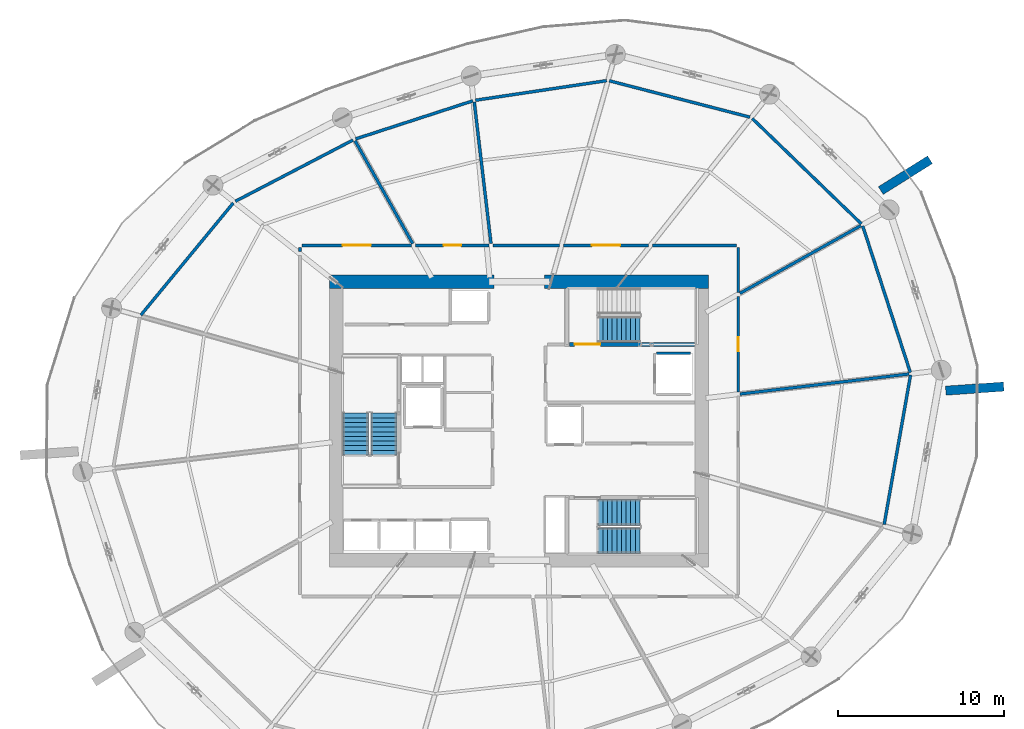
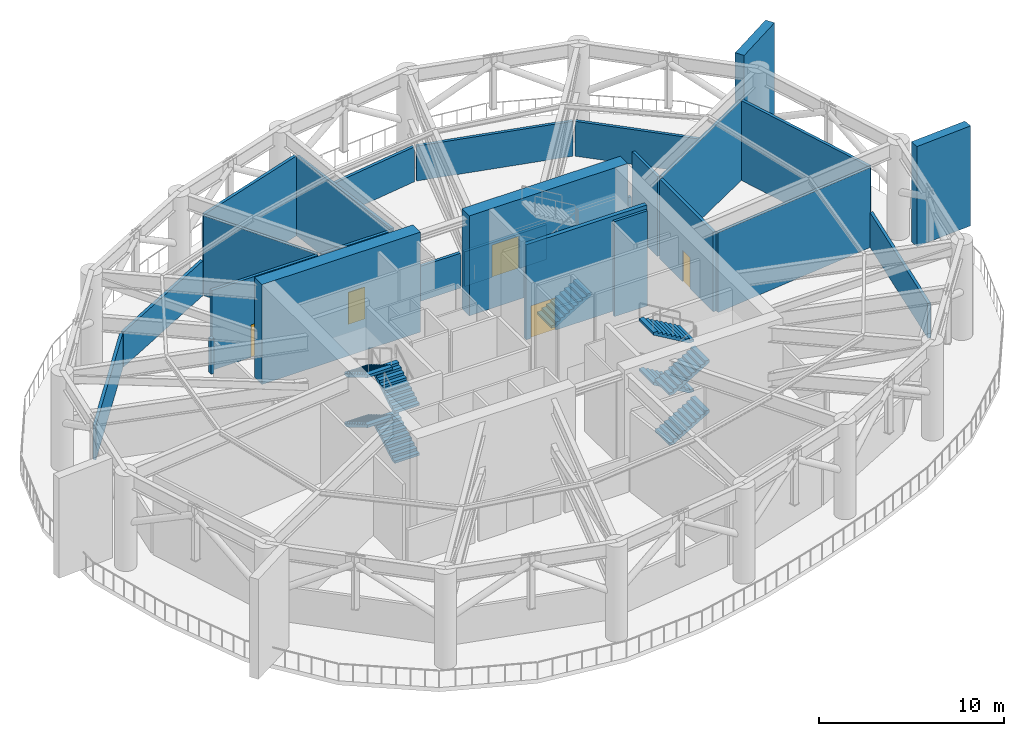
# One storey, part 13 of 19: 26 walls, 9 stair flights, 5 doors, 5 openings, 3 elements without a shape of their own.
"""IFC4 building model written with IfcOpenShell, lengths in metres."""

from ifc_helpers import new_model, si_unit, direction, frame, frame_2d, origin, place, context, subcontext, project, spatial, polyline, rectangle, outline, extrude, material, layer, layer_set, type_object, element, fill, aggregate, save


model = new_model("IFC4")

# Units and contexts
model_context = context("Model", 3, precision=1e-05, world=origin(), true_north=direction((0.0, 1.0)))
body_context = subcontext(model_context, "Body", "Model", "MODEL_VIEW")
ifc_project = project(units=[si_unit("LENGTHUNIT", "METRE"), si_unit("AREAUNIT", "SQUARE_METRE"), si_unit("VOLUMEUNIT", "CUBIC_METRE"), si_unit("PLANEANGLEUNIT", "RADIAN"), si_unit("MASSUNIT", "GRAM", prefix="KILO")], contexts=[model_context])

# Site, building, storey
site_placement = place(None, origin())
site = spatial("IfcSite", under=ifc_project, at=site_placement, CompositionType="ELEMENT")
building_placement = place(site_placement, origin())
building = spatial("IfcBuilding", under=site, at=building_placement, Name="Kazma Halo Residences", CompositionType="ELEMENT")
storey_placement = place(building_placement, frame((0.0, 0.0, 116.39990234375)))
storey = spatial("IfcBuildingStorey", under=building, at=storey_placement, Name="L29", CompositionType="ELEMENT", Elevation=116.39990234375)

# Walls
ifc_material_1 = material(Name="Pale Concrete C60/75", Category="concrete")
ifc_layer_1 = layer(ifc_material_1, 0.550048828125)
ifc_layer_set_1 = layer_set([ifc_layer_1], Name="Pale Concrete C60/75")
wall_type_1 = type_object("IfcWallType", Name="WL-BLADE-550", PredefinedType="SOLIDWALL", material=ifc_layer_set_1)
for number, where, z_axis, x_axis, name in (
    (1, (70.249267578125, 55.90283203125, 0.0), (0.0, 0.0, 1.0), (0.848033572426, 0.529942506352, 0.0), "L29 pale concrete structural blade fin wall BW-01"),
    (2, (74.171875, 43.830078125, 0.0), (0.0, 0.0, 1.0), (0.997564163539, 0.069754853754, 0.0), "L29 pale concrete structural blade fin wall BW-04"),
):
    element("IfcWall", number, at=place(storey_placement, frame(where, z_axis=z_axis, x_axis=x_axis)), inside=storey, type_object=wall_type_1, Name=name, PredefinedType="SOLIDWALL", context=body_context, shape_type="SweptSolid", body=[
        extrude(rectangle(XDim=3.5, YDim=0.550048828125, at=frame_2d((1.75, 0.0))), origin(), (0.0, 0.0, 1.0), 6.60009765625),
    ])
ifc_material_2 = material(Name="Concrete C80/95", Category="concrete")
ifc_layer_2 = layer(ifc_material_2, 0.800048828125)
ifc_layer_set_2 = layer_set([ifc_layer_2], Name="Concrete C80/95")
wall_type_2 = type_object("IfcWallType", Name="WL-CORE-800", PredefinedType="SHEAR", material=ifc_layer_set_2)
wall_1_placement = place(storey_placement, frame((37.0, 50.39990234375, 0.0), z_axis=(0.0, 0.0, 1.0), x_axis=(1.0, 0.0, 0.0)))
element("IfcWall", 3, at=wall_1_placement, inside=storey, type_object=wall_type_2, Name="L29 central core shear wall NW", PredefinedType="SHEAR", context=body_context, shape_type="SweptSolid", body=[
    extrude(rectangle(XDim=9.89990234375, YDim=0.800048828125, at=frame_2d((4.949951171875, 0.0))), origin(), (0.0, 0.0, 1.0), 6.60009765625),
])
wall_2_placement = place(storey_placement, frame((49.949951171875, 50.39990234375, 0.0), z_axis=(0.0, 0.0, 1.0), x_axis=(1.0, 0.0, 0.0)))
element("IfcWall", 4, at=wall_2_placement, inside=storey, type_object=wall_type_2, Name="L29 central core shear wall NE", PredefinedType="SHEAR", context=body_context, shape_type="SweptSolid", body=[
    extrude(rectangle(XDim=9.900146484375, YDim=0.800048828125, at=frame_2d((4.9501953125, 0.0))), origin(), (0.0, 0.0, 1.0), 6.60009765625),
])
ifc_material_3 = material(Name="Acoustic Twin-Stud Gypsum")
ifc_layer_3 = layer(ifc_material_3, 0.179931640625)
ifc_layer_set_3 = layer_set([ifc_layer_3], Name="Acoustic Twin-Stud Gypsum")
wall_type_3 = type_object("IfcWallType", Name="WL-DEM-180", PredefinedType="PARTITIONING", material=ifc_layer_set_3)
wall_3_placement = place(storey_placement, frame((69.0791015625, 53.892578125, 0.0), z_axis=(0.0, 0.0, 1.0), x_axis=(-0.719342658177, 0.694655411069, 0.0)))
element("IfcWall", 5, at=wall_3_placement, inside=storey, type_object=wall_type_3, Name="L29 refuge acoustic perimeter wall 00", PredefinedType="PARTITIONING", context=body_context, shape_type="SweptSolid", body=[
    extrude(rectangle(XDim=9.157470703125, YDim=0.179931640625, at=frame_2d((4.57861328125, 0.0))), origin(), (0.0, 0.0, 1.0), 2.30419921875),
])
wall_4_placement = place(storey_placement, frame((62.356689453125, 60.32958984375, 0.0), z_axis=(0.0, 0.0, 1.0), x_axis=(-0.968122342154, 0.250477804651, 0.0)))
element("IfcWall", 6, at=wall_4_placement, inside=storey, type_object=wall_type_3, Name="L29 refuge acoustic perimeter wall 01", PredefinedType="PARTITIONING", context=body_context, shape_type="SweptSolid", body=[
    extrude(rectangle(XDim=8.764404296875, YDim=0.179931640625, at=frame_2d((4.38232421875, 0.0))), origin(), (0.0, 0.0, 1.0), 2.30419921875),
])
wall_5_placement = place(storey_placement, frame((53.715087890625, 62.532958984375, 0.0), z_axis=(0.0, 0.0, 1.0), x_axis=(-0.989034471801, -0.147684845497, 0.0)))
element("IfcWall", 7, at=wall_5_placement, inside=storey, type_object=wall_type_3, Name="L29 refuge acoustic perimeter wall 02", PredefinedType="PARTITIONING", context=body_context, shape_type="SweptSolid", body=[
    extrude(rectangle(XDim=8.0126953125, YDim=0.179931640625, at=frame_2d((4.00634765625, 0.0))), origin(), (0.0, 0.0, 1.0), 2.30419921875),
])
wall_6_placement = place(storey_placement, frame((45.635009765625, 61.31298828125, 0.0), z_axis=(0.0, 0.0, 1.0), x_axis=(-0.951058670218, -0.309010365204, 0.0)))
element("IfcWall", 8, at=wall_6_placement, inside=storey, type_object=wall_type_3, Name="L29 refuge acoustic perimeter wall 03", PredefinedType="PARTITIONING", context=body_context, shape_type="SweptSolid", body=[
    extrude(rectangle(XDim=7.437744140625, YDim=0.179931640625, at=frame_2d((3.71875, 0.0))), origin(), (0.0, 0.0, 1.0), 5.273193359375),
])
wall_7_placement = place(storey_placement, frame((38.414306640625, 58.952880859375, 0.0), z_axis=(0.0, 0.0, 1.0), x_axis=(-0.886950751462, -0.46186401081, 0.0)))
element("IfcWall", 9, at=wall_7_placement, inside=storey, type_object=wall_type_3, Name="L29 refuge acoustic perimeter wall 04", PredefinedType="PARTITIONING", context=body_context, shape_type="SweptSolid", body=[
    extrude(rectangle(XDim=8.012451171875, YDim=0.179931640625, at=frame_2d((4.00634765625, 0.0))), origin(), (0.0, 0.0, 1.0), 2.30419921875),
])
wall_8_placement = place(storey_placement, frame((31.185546875, 55.153564453125, 0.0), z_axis=(0.0, 0.0, 1.0), x_axis=(-0.636015746841, -0.771676078267, 0.0)))
element("IfcWall", 10, at=wall_8_placement, inside=storey, type_object=wall_type_3, Name="L29 refuge acoustic perimeter wall 05", PredefinedType="PARTITIONING", context=body_context, shape_type="SweptSolid", body=[
    extrude(rectangle(XDim=8.76416015625, YDim=0.179931640625, at=frame_2d((4.382080078125, 0.0))), origin(), (0.0, 0.0, 1.0), 2.30419921875),
])
wall_9_placement = place(storey_placement, frame((70.453369140625, 35.750244140625, 0.0), z_axis=(0.0, 0.0, 1.0), x_axis=(0.173665182346, 0.984804754477, 0.0)))
element("IfcWall", 11, at=wall_9_placement, inside=storey, type_object=wall_type_3, Name="L29 refuge acoustic perimeter wall 14", PredefinedType="PARTITIONING", context=body_context, shape_type="SweptSolid", body=[
    extrude(rectangle(XDim=9.157470703125, YDim=0.179931640625, at=frame_2d((4.57861328125, 0.0))), origin(), (0.0, 0.0, 1.0), 2.30419921875),
])
wall_10_placement = place(storey_placement, frame((72.03271484375, 44.923583984375, 0.0), z_axis=(0.0, 0.0, 1.0), x_axis=(-0.309006462603, 0.951059938211, 0.0)))
element("IfcWall", 12, at=wall_10_placement, inside=storey, type_object=wall_type_3, Name="L29 refuge acoustic perimeter wall 15", PredefinedType="PARTITIONING", context=body_context, shape_type="SweptSolid", body=[
    extrude(rectangle(XDim=9.292236328125, YDim=0.179931640625, at=frame_2d((4.64599609375, 0.0))), origin(), (0.0, 0.0, 1.0), 5.273193359375),
])
wall_11_placement = place(storey_placement, frame((61.64990234375, 49.764404296875, 0.0), z_axis=(0.0, 0.0, 1.0), x_axis=(0.0, 1.0, 0.0)))
element("IfcWall", 13, at=wall_11_placement, inside=storey, type_object=wall_type_3, Name="L29 L29 East Refuge Area corridor wall", PredefinedType="PARTITIONING", context=body_context, shape_type="SweptSolid", body=[
    extrude(rectangle(XDim=2.715576171875, YDim=0.179931640625, at=frame_2d((1.35791015625, 0.0))), origin(), (0.0, 0.0, 1.0), 5.273193359375),
])
wall_12_placement = place(storey_placement, frame((61.530029296875, 52.60009765625, 0.0), z_axis=(0.0, 0.0, 1.0), x_axis=(-1.0, 0.0, 0.0)))
element("IfcWall", 14, at=wall_12_placement, inside=storey, type_object=wall_type_3, Name="L29 L29 East Refuge Area corridor wall", PredefinedType="PARTITIONING", context=body_context, shape_type="SweptSolid", body=[
    extrude(rectangle(XDim=5.0537109375, YDim=0.179931640625, at=frame_2d((2.52685546875, 0.0))), origin(), (0.0, 0.0, 1.0), 2.30419921875),
])

# Wall, opening, door
wall_13_placement = place(storey_placement, frame((56.236328125, 52.60009765625, 0.0), z_axis=(0.0, 0.0, 1.0), x_axis=(-1.0, 0.0, 0.0)))
wall_13 = element("IfcWall", 15, at=wall_13_placement, inside=storey, type_object=wall_type_3, Name="L29 L29 East Refuge Area corridor wall", PredefinedType="PARTITIONING", context=body_context, shape_type="SweptSolid", body=[
    extrude(rectangle(XDim=5.126708984375, YDim=0.179931640625, at=frame_2d((2.5634765625, 0.0))), origin(), (0.0, 0.0, 1.0), 2.30419921875),
])
opening_1_placement = place(wall_13_placement, frame((1.71337890625, 0.0, 0.0)))
opening_1 = element("IfcOpeningElement", 16, at=opening_1_placement, cuts=wall_13, Name="Opening DL-1800", PredefinedType="OPENING", context=body_context, shape_type="SweptSolid", body=[
    extrude(rectangle(XDim=1.699951171875, YDim=2.14990234375, at=frame_2d((0.85009765625, 1.074951171875))), frame((0.0, 0.099853515625, 0.0), z_axis=(0.0, -1.0, 0.0), x_axis=(1.0, 0.0, 0.0)), (0.0, 0.0, 1.0), 0.199951171875),
])
ifc_material_4 = material(Name="Glazed Aluminium Double Leaf", Category="aluminium")
door_type_1 = type_object("IfcDoorType", Name="DR-LGE-1800", OperationType="NOTDEFINED", PredefinedType="DOOR", material=ifc_material_4)
door_1_placement = place(opening_1_placement, origin())
door_1 = element("IfcDoor", 17, at=door_1_placement, inside=storey, type_object=door_type_1, Name="L29 L29 East Refuge Area door", OperationType="DOUBLE_DOOR_SINGLE_SWING", OverallHeight=2.14990234375, OverallWidth=1.699951171875, PredefinedType="DOOR", context=body_context, shape_type="SweptSolid", body=[
    extrude(rectangle(XDim=1.699951171875, YDim=2.14990234375, at=frame_2d((0.85009765625, 1.074951171875))), frame((0.0, 0.02490234375, 0.0), z_axis=(0.0, -1.0, 0.0), x_axis=(1.0, 0.0, 0.0)), (0.0, 0.0, 1.0), 0.050048828125),
])
fill(opening_1, door_1)

# Walls
wall_14_placement = place(storey_placement, frame((50.869384765625, 52.60009765625, 0.0), z_axis=(0.0, 0.0, 1.0), x_axis=(-1.0, 0.0, 0.0)))
element("IfcWall", 18, at=wall_14_placement, inside=storey, type_object=wall_type_3, Name="L29 L29 East Refuge Area corridor wall", PredefinedType="PARTITIONING", context=body_context, shape_type="SweptSolid", body=[
    extrude(rectangle(XDim=4.00390625, YDim=0.179931640625, at=frame_2d((2.001953125, 0.0))), origin(), (0.0, 0.0, 1.0), 2.30419921875),
])
wall_15_placement = place(storey_placement, frame((61.74609375, 49.697998046875, 0.0), z_axis=(0.0, 0.0, 1.0), x_axis=(0.872491592103, 0.488629124908, 0.0)))
element("IfcWall", 19, at=wall_15_placement, inside=storey, type_object=wall_type_3, Name="L29 radial partition wall 00", PredefinedType="PARTITIONING", context=body_context, shape_type="SweptSolid", body=[
    extrude(rectangle(XDim=8.37060546875, YDim=0.179931640625, at=frame_2d((4.185302734375, 0.0))), origin(), (0.0, 0.0, 1.0), 5.273193359375),
])
wall_16_placement = place(storey_placement, frame((46.732421875, 52.709228515625, 0.0), z_axis=(0.0, 0.0, 1.0), x_axis=(-0.117538852682, 0.993068284717, 0.0)))
element("IfcWall", 20, at=wall_16_placement, inside=storey, type_object=wall_type_3, Name="L29 radial partition wall 03", PredefinedType="PARTITIONING", context=body_context, shape_type="SweptSolid", body=[
    extrude(rectangle(XDim=8.5888671875, YDim=0.179931640625, at=frame_2d((4.29443359375, 0.0))), origin(), (0.0, 0.0, 1.0), 5.273193359375),
])

# Wall, opening, door
wall_17_placement = place(storey_placement, frame((46.62548828125, 52.60009765625, 0.0), z_axis=(0.0, 0.0, 1.0), x_axis=(-1.0, 0.0, 0.0)))
wall_17 = element("IfcWall", 21, at=wall_17_placement, inside=storey, type_object=wall_type_3, Name="L29 L29 Chiller Cooling Plant Room corridor wall", PredefinedType="PARTITIONING", context=body_context, shape_type="SweptSolid", body=[
    extrude(rectangle(XDim=4.44189453125, YDim=0.179931640625, at=frame_2d((2.220947265625, 0.0))), origin(), (0.0, 0.0, 1.0), 5.273193359375),
])
opening_2_placement = place(wall_17_placement, frame((1.69580078125, 0.0, 0.0)))
opening_2 = element("IfcOpeningElement", 22, at=opening_2_placement, cuts=wall_17, Name="Opening DF-1050", PredefinedType="OPENING", context=body_context, shape_type="SweptSolid", body=[
    extrude(rectangle(XDim=1.050048828125, YDim=2.10009765625, at=frame_2d((0.52490234375, 1.050048828125))), frame((0.0, 0.099853515625, 0.0), z_axis=(0.0, -1.0, 0.0), x_axis=(1.0, 0.0, 0.0)), (0.0, 0.0, 1.0), 0.199951171875),
])
ifc_material_5 = material(Name="Fire-Rated Steel Leaf", Category="steel")
door_type_2 = type_object("IfcDoorType", Name="DR-FD90-1050", OperationType="NOTDEFINED", PredefinedType="DOOR", material=ifc_material_5)
door_2_placement = place(opening_2_placement, origin())
door_2 = element("IfcDoor", 23, at=door_2_placement, inside=storey, type_object=door_type_2, Name="L29 L29 Chiller Cooling Plant Room door", OperationType="SINGLE_SWING_RIGHT", OverallHeight=2.10009765625, OverallWidth=1.050048828125, PredefinedType="DOOR", context=body_context, shape_type="SweptSolid", body=[
    extrude(rectangle(XDim=1.050048828125, YDim=2.10009765625, at=frame_2d((0.52490234375, 1.050048828125))), frame((0.0, 0.02490234375, 0.0), z_axis=(0.0, -1.0, 0.0), x_axis=(1.0, 0.0, 0.0)), (0.0, 0.0, 1.0), 0.050048828125),
])
fill(opening_2, door_2)

# Wall
wall_18_placement = place(storey_placement, frame((42.010009765625, 52.696044921875, 0.0), z_axis=(0.0, 0.0, 1.0), x_axis=(-0.488621135235, 0.872496066583, 0.0)))
element("IfcWall", 24, at=wall_18_placement, inside=storey, type_object=wall_type_3, Name="L29 radial partition wall 04", PredefinedType="PARTITIONING", context=body_context, shape_type="SweptSolid", body=[
    extrude(rectangle(XDim=7.113525390625, YDim=0.179931640625, at=frame_2d((3.556640625, 0.0))), origin(), (0.0, 0.0, 1.0), 5.273193359375),
])

# Wall, opening, door
wall_19_placement = place(storey_placement, frame((41.943603515625, 52.60009765625, 0.0), z_axis=(0.0, 0.0, 1.0), x_axis=(-1.0, 0.0, 0.0)))
wall_19 = element("IfcWall", 25, at=wall_19_placement, inside=storey, type_object=wall_type_3, Name="L29 L29 North Refuge Area corridor wall", PredefinedType="PARTITIONING", context=body_context, shape_type="SweptSolid", body=[
    extrude(rectangle(XDim=6.62353515625, YDim=0.179931640625, at=frame_2d((3.311767578125, 0.0))), origin(), (0.0, 0.0, 1.0), 5.273193359375),
])
opening_3_placement = place(wall_19_placement, frame((2.4619140625, 0.0, 0.0)))
opening_3 = element("IfcOpeningElement", 26, at=opening_3_placement, cuts=wall_19, Name="Opening DL-1800", PredefinedType="OPENING", context=body_context, shape_type="SweptSolid", body=[
    extrude(rectangle(XDim=1.699951171875, YDim=2.14990234375, at=frame_2d((0.85009765625, 1.074951171875))), frame((0.0, 0.099853515625, 0.0), z_axis=(0.0, -1.0, 0.0), x_axis=(1.0, 0.0, 0.0)), (0.0, 0.0, 1.0), 0.199951171875),
])
door_3_placement = place(opening_3_placement, origin())
door_3 = element("IfcDoor", 27, at=door_3_placement, inside=storey, type_object=door_type_1, Name="L29 L29 North Refuge Area door", OperationType="DOUBLE_DOOR_SINGLE_SWING", OverallHeight=2.14990234375, OverallWidth=1.699951171875, PredefinedType="DOOR", context=body_context, shape_type="SweptSolid", body=[
    extrude(rectangle(XDim=1.699951171875, YDim=2.14990234375, at=frame_2d((0.85009765625, 1.074951171875))), frame((0.0, 0.02490234375, 0.0), z_axis=(0.0, -1.0, 0.0), x_axis=(1.0, 0.0, 0.0)), (0.0, 0.0, 1.0), 0.050048828125),
])
fill(opening_3, door_3)

# Walls
wall_20_placement = place(storey_placement, frame((35.199951171875, 52.47998046875, 0.0), z_axis=(0.0, 0.0, 1.0), x_axis=(0.0, -1.0, 0.0)))
element("IfcWall", 28, at=wall_20_placement, inside=storey, type_object=wall_type_3, Name="L29 L29 North Refuge Area corridor wall", PredefinedType="PARTITIONING", context=body_context, shape_type="SweptSolid", body=[
    extrude(rectangle(XDim=0.269287109375, YDim=0.179931640625, at=frame_2d((0.134765625, 0.0))), origin(), (0.0, 0.0, 1.0), 2.30419921875),
])
wall_21_placement = place(storey_placement, frame((61.75927734375, 43.62841796875, 0.0), z_axis=(0.0, 0.0, 1.0), x_axis=(0.993066783927, 0.117551531933, 0.0)))
element("IfcWall", 29, at=wall_21_placement, inside=storey, type_object=wall_type_3, Name="L29 radial partition wall 15", PredefinedType="PARTITIONING", context=body_context, shape_type="SweptSolid", body=[
    extrude(rectangle(XDim=10.270263671875, YDim=0.179931640625, at=frame_2d((5.13525390625, 0.0))), origin(), (0.0, 0.0, 1.0), 5.273193359375),
])

# Wall, opening, door
wall_22_placement = place(storey_placement, frame((61.64990234375, 43.735595703125, 0.0), z_axis=(0.0, 0.0, 1.0), x_axis=(0.0, 1.0, 0.0)))
wall_22 = element("IfcWall", 30, at=wall_22_placement, inside=storey, type_object=wall_type_3, Name="L29 L29 Emergency BMS Mechanical Plant Room corridor wall", PredefinedType="PARTITIONING", context=body_context, shape_type="SweptSolid", body=[
    extrude(rectangle(XDim=5.788818359375, YDim=0.179931640625, at=frame_2d((2.89453125, 0.0))), origin(), (0.0, 0.0, 1.0), 5.273193359375),
])
opening_4_placement = place(wall_22_placement, frame((2.469482421875, 0.0, 0.0)))
opening_4 = element("IfcOpeningElement", 31, at=opening_4_placement, cuts=wall_22, Name="Opening DS-850", PredefinedType="OPENING", context=body_context, shape_type="SweptSolid", body=[
    extrude(rectangle(XDim=0.85009765625, YDim=2.06005859375, at=frame_2d((0.425048828125, 1.030029296875))), frame((0.0, 0.099853515625, 0.0), z_axis=(0.0, -1.0, 0.0), x_axis=(1.0, 0.0, 0.0)), (0.0, 0.0, 1.0), 0.199951171875),
])
ifc_material_6 = material(Name="Painted Steel Access Leaf", Category="steel")
door_type_3 = type_object("IfcDoorType", Name="DR-SVC-850", OperationType="NOTDEFINED", PredefinedType="DOOR", material=ifc_material_6)
door_4_placement = place(opening_4_placement, origin())
door_4 = element("IfcDoor", 32, at=door_4_placement, inside=storey, type_object=door_type_3, Name="L29 L29 Emergency BMS Mechanical Plant Room door", OperationType="SINGLE_SWING_RIGHT", OverallHeight=2.06005859375, OverallWidth=0.85009765625, PredefinedType="DOOR", context=body_context, shape_type="SweptSolid", body=[
    extrude(rectangle(XDim=0.85009765625, YDim=2.06005859375, at=frame_2d((0.425048828125, 1.030029296875))), frame((0.0, 0.02490234375, 0.0), z_axis=(0.0, -1.0, 0.0), x_axis=(1.0, 0.0, 0.0)), (0.0, 0.0, 1.0), 0.050048828125),
])
fill(opening_4, door_4)

# Wall
ifc_material_7 = material(Name="Fire-Rated Blockwork Masonry", Category="masonry")
ifc_layer_4 = layer(ifc_material_7, 0.199951171875)
ifc_layer_set_4 = layer_set([ifc_layer_4], Name="Fire-Rated Blockwork Masonry")
wall_type_4 = type_object("IfcWallType", Name="WL-FLB-200", PredefinedType="PARTITIONING", material=ifc_layer_set_4)
wall_23_placement = place(storey_placement, frame((56.719970703125, 46.080078125, 0.0), z_axis=(0.0, 0.0, 1.0), x_axis=(1.0, 0.0, 0.0)))
element("IfcWall", 33, at=wall_23_placement, inside=storey, type_object=wall_type_4, Name="L29 lift shaft FL-02 side wall N", PredefinedType="PARTITIONING", context=body_context, shape_type="SweptSolid", body=[
    extrude(rectangle(XDim=2.06005859375, YDim=0.159912109375, at=frame_2d((1.030029296875, 0.0))), origin(), (0.0, 0.0, 1.0), 6.280029296875),
])

# Wall, opening, door
ifc_material_8 = material(Name="Concrete C50/60", Category="concrete")
ifc_layer_5 = layer(ifc_material_8, 0.25)
ifc_layer_set_5 = layer_set([ifc_layer_5], Name="Concrete C50/60")
wall_type_5 = type_object("IfcWallType", Name="WL-SHF-250", PredefinedType="SOLIDWALL", material=ifc_layer_set_5)
wall_24_placement = place(storey_placement, frame((51.47998046875, 46.6201171875, 0.0), z_axis=(0.0, 0.0, 1.0), x_axis=(1.0, 0.0, 0.0)))
wall_24 = element("IfcWall", 34, at=wall_24_placement, inside=storey, type_object=wall_type_5, Name="L29 exit stair ST-02 enclosure wall", PredefinedType="SOLIDWALL", context=body_context, shape_type="SweptSolid", body=[
    extrude(rectangle(XDim=7.5400390625, YDim=0.25, at=frame_2d((3.77001953125, 0.0))), origin(), (0.0, 0.0, 1.0), 6.280029296875),
])
opening_5_placement = place(wall_24_placement, frame((0.300048828125, 0.0, 0.0)))
opening_5 = element("IfcOpeningElement", 35, at=opening_5_placement, cuts=wall_24, Name="Opening D-ST2", PredefinedType="OPENING", context=body_context, shape_type="SweptSolid", body=[
    extrude(rectangle(XDim=1.550048828125, YDim=2.14990234375, at=frame_2d((0.77490234375, 1.074951171875))), frame((0.0, 0.135009765625, 0.0), z_axis=(0.0, -1.0, 0.0), x_axis=(1.0, 0.0, 0.0)), (0.0, 0.0, 1.0), 0.27001953125),
])
ifc_material_9 = material(Name="Fire-Rated Double Steel Leaf", Category="steel")
door_type_4 = type_object("IfcDoorType", Name="DR-FD90-1550", OperationType="NOTDEFINED", PredefinedType="DOOR", material=ifc_material_9)
door_5_placement = place(opening_5_placement, origin())
door_5 = element("IfcDoor", 36, at=door_5_placement, inside=storey, type_object=door_type_4, Name="L29 exit stair ST-02 fire door", OperationType="DOUBLE_DOOR_SINGLE_SWING", OverallHeight=2.14990234375, OverallWidth=1.550048828125, PredefinedType="DOOR", context=body_context, shape_type="SweptSolid", body=[
    extrude(rectangle(XDim=1.550048828125, YDim=2.14990234375, at=frame_2d((0.77490234375, 1.074951171875))), frame((0.0, 0.02490234375, 0.0), z_axis=(0.0, -1.0, 0.0), x_axis=(1.0, 0.0, 0.0)), (0.0, 0.0, 1.0), 0.050048828125),
])
fill(opening_5, door_5)

# Stair, stair flights
stair_type = type_object("IfcStairType", Name="STR-CRWN", PredefinedType="HALF_TURN_STAIR", material=ifc_material_8)
stair_1_placement = place(storey_placement, origin())
stair_1 = element("IfcStair", 37, at=stair_1_placement, inside=storey, type_object=stair_type, Name="L29 Core exit stair ST-01", PredefinedType="HALF_TURN_STAIR")
stair_flight_type = type_object("IfcStairFlightType", Name="STR-CRWN-FLT", PredefinedType="STRAIGHT", material=ifc_material_8)
stair_flight_1_placement = place(storey_placement, frame((40.27490234375, 39.949951171875, 0.0), z_axis=(0.0, 0.0, 1.0), x_axis=(0.0, 1.0, 0.0)))
stair_flight_1 = element("IfcStairFlight", 38, at=stair_flight_1_placement, type_object=stair_flight_type, Name="ST-01 flight 1", NumberOfRisers=10, NumberOfTreads=9, PredefinedType="STRAIGHT", RiserHeight=0.165, TreadLength=0.28, context=body_context, shape_type="SweptSolid", body=[
    extrude(outline(polyline([(0.0, 0.0), (0.0, 0.1650390625), (0.280029296875, 0.1650390625), (0.280029296875, 0.330078125), (0.56005859375, 0.330078125), (0.56005859375, 0.4951171875), (0.840087890625, 0.4951171875), (0.840087890625, 0.659912109375), (1.1201171875, 0.659912109375), (1.1201171875, 0.824951171875), (1.39990234375, 0.824951171875), (1.39990234375, 0.989990234375), (1.679931640625, 0.989990234375), (1.679931640625, 1.155029296875), (1.9599609375, 1.155029296875), (1.9599609375, 1.320068359375), (2.239990234375, 1.320068359375), (2.239990234375, 1.485107421875), (2.52001953125, 1.485107421875), (2.52001953125, 1.64990234375), (2.52001953125, 1.31103515625), (0.295166015625, 0.0), (0.0, 0.0)])), frame((0.0, 0.77490234375, 0.0), z_axis=(0.0, -1.0, 0.0), x_axis=(1.0, 0.0, 0.0)), (0.0, 0.0, 1.0), 1.550048828125),
])
stair_flight_2_placement = place(storey_placement, frame((38.574951171875, 42.469970703125, 1.650146484375), z_axis=(0.0, 0.0, 1.0), x_axis=(0.0, -1.0, 0.0)))
stair_flight_2 = element("IfcStairFlight", 39, at=stair_flight_2_placement, type_object=stair_flight_type, Name="ST-01 flight 2", NumberOfRisers=10, NumberOfTreads=9, PredefinedType="STRAIGHT", RiserHeight=0.165, TreadLength=0.28, context=body_context, shape_type="SweptSolid", body=[
    extrude(outline(polyline([(0.0, 0.0), (0.0, 0.1650390625), (0.280029296875, 0.1650390625), (0.280029296875, 0.330078125), (0.56005859375, 0.330078125), (0.56005859375, 0.4951171875), (0.840087890625, 0.4951171875), (0.840087890625, 0.659912109375), (1.1201171875, 0.659912109375), (1.1201171875, 0.824951171875), (1.39990234375, 0.824951171875), (1.39990234375, 0.989990234375), (1.679931640625, 0.989990234375), (1.679931640625, 1.155029296875), (1.9599609375, 1.155029296875), (1.9599609375, 1.320068359375), (2.239990234375, 1.320068359375), (2.239990234375, 1.485107421875), (2.52001953125, 1.485107421875), (2.52001953125, 1.64990234375), (2.52001953125, 1.31103515625), (0.295166015625, 0.0), (0.0, 0.0)])), frame((0.0, 0.77490234375, 0.0), z_axis=(0.0, -1.0, 0.0), x_axis=(1.0, 0.0, 0.0)), (0.0, 0.0, 1.0), 1.550048828125),
])
stair_flight_3_placement = place(storey_placement, frame((40.27490234375, 39.949951171875, 3.300048828125), z_axis=(0.0, 0.0, 1.0), x_axis=(0.0, 1.0, 0.0)))
stair_flight_3 = element("IfcStairFlight", 40, at=stair_flight_3_placement, type_object=stair_flight_type, Name="ST-01 flight 3", NumberOfRisers=10, NumberOfTreads=9, PredefinedType="STRAIGHT", RiserHeight=0.165, TreadLength=0.28, context=body_context, shape_type="SweptSolid", body=[
    extrude(outline(polyline([(0.0, 0.0), (0.0, 0.1650390625), (0.280029296875, 0.1650390625), (0.280029296875, 0.330078125), (0.56005859375, 0.330078125), (0.56005859375, 0.4951171875), (0.840087890625, 0.4951171875), (0.840087890625, 0.659912109375), (1.1201171875, 0.659912109375), (1.1201171875, 0.824951171875), (1.39990234375, 0.824951171875), (1.39990234375, 0.989990234375), (1.679931640625, 0.989990234375), (1.679931640625, 1.155029296875), (1.9599609375, 1.155029296875), (1.9599609375, 1.320068359375), (2.239990234375, 1.320068359375), (2.239990234375, 1.485107421875), (2.52001953125, 1.485107421875), (2.52001953125, 1.64990234375), (2.52001953125, 1.31103515625), (0.295166015625, 0.0), (0.0, 0.0)])), frame((0.0, 0.77490234375, 0.0), z_axis=(0.0, -1.0, 0.0), x_axis=(1.0, 0.0, 0.0)), (0.0, 0.0, 1.0), 1.550048828125),
])
stair_flight_4_placement = place(storey_placement, frame((38.574951171875, 42.469970703125, 4.9501953125), z_axis=(0.0, 0.0, 1.0), x_axis=(0.0, -1.0, 0.0)))
stair_flight_4 = element("IfcStairFlight", 41, at=stair_flight_4_placement, type_object=stair_flight_type, Name="ST-01 flight 4", NumberOfRisers=10, NumberOfTreads=9, PredefinedType="STRAIGHT", RiserHeight=0.165, TreadLength=0.28, context=body_context, shape_type="SweptSolid", body=[
    extrude(outline(polyline([(0.0, 0.0), (0.0, 0.1650390625), (0.280029296875, 0.1650390625), (0.280029296875, 0.330078125), (0.56005859375, 0.330078125), (0.56005859375, 0.4951171875), (0.840087890625, 0.4951171875), (0.840087890625, 0.659912109375), (1.1201171875, 0.659912109375), (1.1201171875, 0.824951171875), (1.39990234375, 0.824951171875), (1.39990234375, 0.989990234375), (1.679931640625, 0.989990234375), (1.679931640625, 1.155029296875), (1.9599609375, 1.155029296875), (1.9599609375, 1.320068359375), (2.239990234375, 1.320068359375), (2.239990234375, 1.485107421875), (2.52001953125, 1.485107421875), (2.52001953125, 1.64990234375), (2.52001953125, 1.31103515625), (0.295166015625, 0.0), (0.0, 0.0)])), frame((0.0, 0.77490234375, 0.0), z_axis=(0.0, -1.0, 0.0), x_axis=(1.0, 0.0, 0.0)), (0.0, 0.0, 1.0), 1.550048828125),
])
aggregate(stair_1, [stair_flight_1, stair_flight_2, stair_flight_3, stair_flight_4])

# Stair, stair flight
stair_2_placement = place(storey_placement, origin())
stair_2 = element("IfcStair", 42, at=stair_2_placement, inside=storey, type_object=stair_type, Name="L29 Core exit stair ST-02", PredefinedType="HALF_TURN_STAIR")
stair_flight_5_placement = place(storey_placement, frame((53.199951171875, 47.52490234375, 0.0), z_axis=(0.0, 0.0, 1.0), x_axis=(1.0, 0.0, 0.0)))
stair_flight_5 = element("IfcStairFlight", 43, at=stair_flight_5_placement, type_object=stair_flight_type, Name="ST-02 flight 1", NumberOfRisers=10, NumberOfTreads=9, PredefinedType="STRAIGHT", RiserHeight=0.165, TreadLength=0.28, context=body_context, shape_type="SweptSolid", body=[
    extrude(outline(polyline([(0.0, 0.0), (0.0, 0.1650390625), (0.280029296875, 0.1650390625), (0.280029296875, 0.330078125), (0.56005859375, 0.330078125), (0.56005859375, 0.4951171875), (0.840087890625, 0.4951171875), (0.840087890625, 0.659912109375), (1.1201171875, 0.659912109375), (1.1201171875, 0.824951171875), (1.39990234375, 0.824951171875), (1.39990234375, 0.989990234375), (1.679931640625, 0.989990234375), (1.679931640625, 1.155029296875), (1.9599609375, 1.155029296875), (1.9599609375, 1.320068359375), (2.239990234375, 1.320068359375), (2.239990234375, 1.485107421875), (2.52001953125, 1.485107421875), (2.52001953125, 1.64990234375), (2.52001953125, 1.31103515625), (0.295166015625, 0.0), (0.0, 0.0)])), frame((0.0, 0.77490234375, 0.0), z_axis=(0.0, -1.0, 0.0), x_axis=(1.0, 0.0, 0.0)), (0.0, 0.0, 1.0), 1.550048828125),
])
aggregate(stair_2, [stair_flight_5])

# Stair, stair flights
stair_3_placement = place(storey_placement, origin())
stair_3 = element("IfcStair", 44, at=stair_3_placement, inside=storey, type_object=stair_type, Name="L29 Core exit stair ST-03", PredefinedType="HALF_TURN_STAIR")
stair_flight_6_placement = place(storey_placement, frame((53.199951171875, 34.77490234375, 0.0), z_axis=(0.0, 0.0, 1.0), x_axis=(1.0, 0.0, 0.0)))
stair_flight_6 = element("IfcStairFlight", 45, at=stair_flight_6_placement, type_object=stair_flight_type, Name="ST-03 flight 1", NumberOfRisers=10, NumberOfTreads=9, PredefinedType="STRAIGHT", RiserHeight=0.165, TreadLength=0.28, context=body_context, shape_type="SweptSolid", body=[
    extrude(outline(polyline([(0.0, 0.0), (0.0, 0.1650390625), (0.280029296875, 0.1650390625), (0.280029296875, 0.330078125), (0.56005859375, 0.330078125), (0.56005859375, 0.4951171875), (0.840087890625, 0.4951171875), (0.840087890625, 0.659912109375), (1.1201171875, 0.659912109375), (1.1201171875, 0.824951171875), (1.39990234375, 0.824951171875), (1.39990234375, 0.989990234375), (1.679931640625, 0.989990234375), (1.679931640625, 1.155029296875), (1.9599609375, 1.155029296875), (1.9599609375, 1.320068359375), (2.239990234375, 1.320068359375), (2.239990234375, 1.485107421875), (2.52001953125, 1.485107421875), (2.52001953125, 1.64990234375), (2.52001953125, 1.31103515625), (0.295166015625, 0.0), (0.0, 0.0)])), frame((0.0, 0.77490234375, 0.0), z_axis=(0.0, -1.0, 0.0), x_axis=(1.0, 0.0, 0.0)), (0.0, 0.0, 1.0), 1.550048828125),
])
stair_flight_7_placement = place(storey_placement, frame((55.719970703125, 36.47509765625, 1.650146484375), z_axis=(0.0, 0.0, 1.0), x_axis=(-1.0, 0.0, 0.0)))
stair_flight_7 = element("IfcStairFlight", 46, at=stair_flight_7_placement, type_object=stair_flight_type, Name="ST-03 flight 2", NumberOfRisers=10, NumberOfTreads=9, PredefinedType="STRAIGHT", RiserHeight=0.165, TreadLength=0.28, context=body_context, shape_type="SweptSolid", body=[
    extrude(outline(polyline([(0.0, 0.0), (0.0, 0.1650390625), (0.280029296875, 0.1650390625), (0.280029296875, 0.330078125), (0.56005859375, 0.330078125), (0.56005859375, 0.4951171875), (0.840087890625, 0.4951171875), (0.840087890625, 0.659912109375), (1.1201171875, 0.659912109375), (1.1201171875, 0.824951171875), (1.39990234375, 0.824951171875), (1.39990234375, 0.989990234375), (1.679931640625, 0.989990234375), (1.679931640625, 1.155029296875), (1.9599609375, 1.155029296875), (1.9599609375, 1.320068359375), (2.239990234375, 1.320068359375), (2.239990234375, 1.485107421875), (2.52001953125, 1.485107421875), (2.52001953125, 1.64990234375), (2.52001953125, 1.31103515625), (0.295166015625, 0.0), (0.0, 0.0)])), frame((0.0, 0.77490234375, 0.0), z_axis=(0.0, -1.0, 0.0), x_axis=(1.0, 0.0, 0.0)), (0.0, 0.0, 1.0), 1.550048828125),
])
stair_flight_8_placement = place(storey_placement, frame((53.199951171875, 34.77490234375, 3.300048828125), z_axis=(0.0, 0.0, 1.0), x_axis=(1.0, 0.0, 0.0)))
stair_flight_8 = element("IfcStairFlight", 47, at=stair_flight_8_placement, type_object=stair_flight_type, Name="ST-03 flight 3", NumberOfRisers=10, NumberOfTreads=9, PredefinedType="STRAIGHT", RiserHeight=0.165, TreadLength=0.28, context=body_context, shape_type="SweptSolid", body=[
    extrude(outline(polyline([(0.0, 0.0), (0.0, 0.1650390625), (0.280029296875, 0.1650390625), (0.280029296875, 0.330078125), (0.56005859375, 0.330078125), (0.56005859375, 0.4951171875), (0.840087890625, 0.4951171875), (0.840087890625, 0.659912109375), (1.1201171875, 0.659912109375), (1.1201171875, 0.824951171875), (1.39990234375, 0.824951171875), (1.39990234375, 0.989990234375), (1.679931640625, 0.989990234375), (1.679931640625, 1.155029296875), (1.9599609375, 1.155029296875), (1.9599609375, 1.320068359375), (2.239990234375, 1.320068359375), (2.239990234375, 1.485107421875), (2.52001953125, 1.485107421875), (2.52001953125, 1.64990234375), (2.52001953125, 1.31103515625), (0.295166015625, 0.0), (0.0, 0.0)])), frame((0.0, 0.77490234375, 0.0), z_axis=(0.0, -1.0, 0.0), x_axis=(1.0, 0.0, 0.0)), (0.0, 0.0, 1.0), 1.550048828125),
])
stair_flight_9_placement = place(storey_placement, frame((55.719970703125, 36.47509765625, 4.9501953125), z_axis=(0.0, 0.0, 1.0), x_axis=(-1.0, 0.0, 0.0)))
stair_flight_9 = element("IfcStairFlight", 48, at=stair_flight_9_placement, type_object=stair_flight_type, Name="ST-03 flight 4", NumberOfRisers=10, NumberOfTreads=9, PredefinedType="STRAIGHT", RiserHeight=0.165, TreadLength=0.28, context=body_context, shape_type="SweptSolid", body=[
    extrude(outline(polyline([(0.0, 0.0), (0.0, 0.1650390625), (0.280029296875, 0.1650390625), (0.280029296875, 0.330078125), (0.56005859375, 0.330078125), (0.56005859375, 0.4951171875), (0.840087890625, 0.4951171875), (0.840087890625, 0.659912109375), (1.1201171875, 0.659912109375), (1.1201171875, 0.824951171875), (1.39990234375, 0.824951171875), (1.39990234375, 0.989990234375), (1.679931640625, 0.989990234375), (1.679931640625, 1.155029296875), (1.9599609375, 1.155029296875), (1.9599609375, 1.320068359375), (2.239990234375, 1.320068359375), (2.239990234375, 1.485107421875), (2.52001953125, 1.485107421875), (2.52001953125, 1.64990234375), (2.52001953125, 1.31103515625), (0.295166015625, 0.0), (0.0, 0.0)])), frame((0.0, 0.77490234375, 0.0), z_axis=(0.0, -1.0, 0.0), x_axis=(1.0, 0.0, 0.0)), (0.0, 0.0, 1.0), 1.550048828125),
])
aggregate(stair_3, [stair_flight_6, stair_flight_7, stair_flight_8, stair_flight_9])

save(model, "model.ifc")
